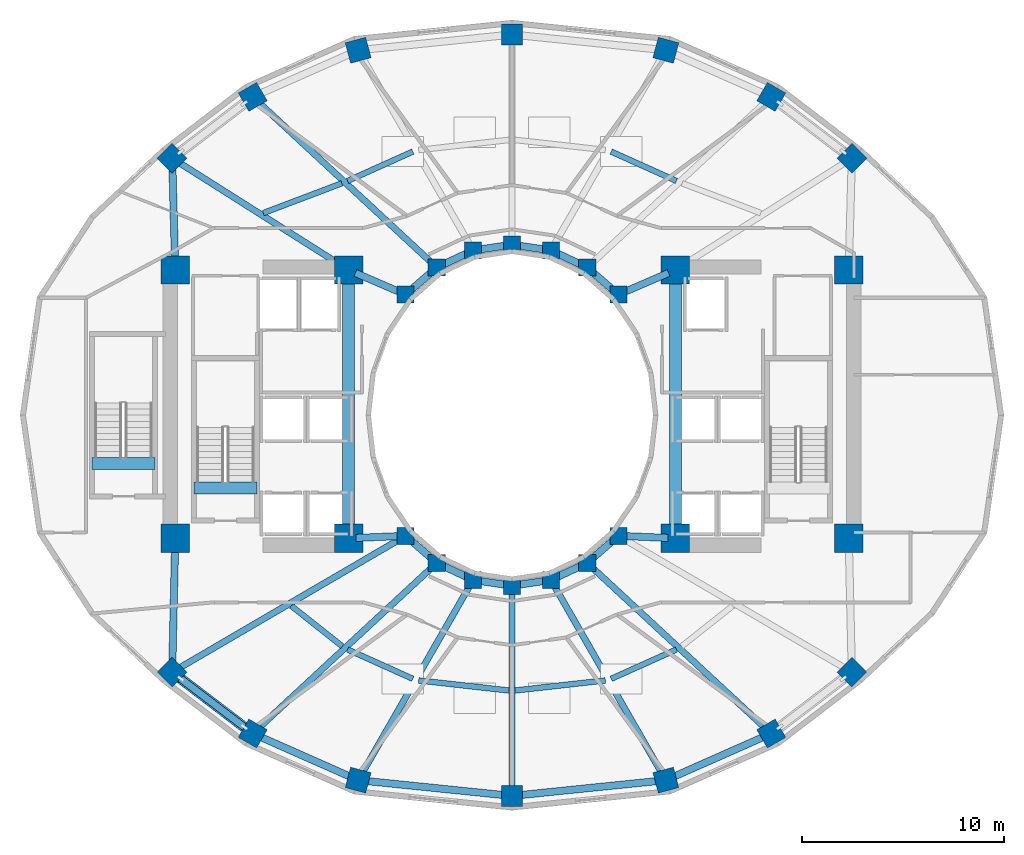
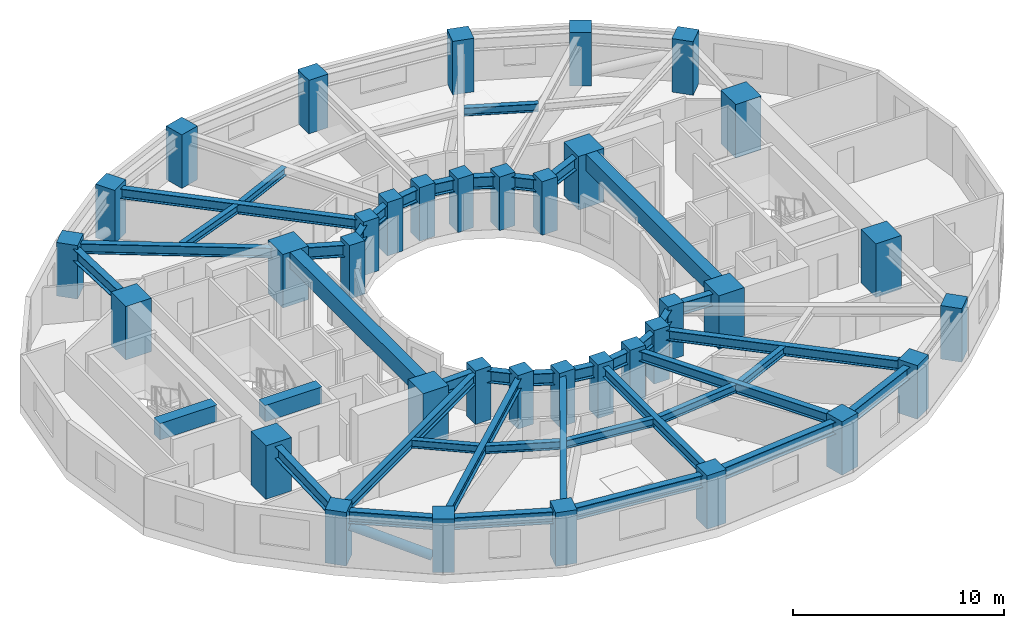
# One storey, part 1 of 9: 43 beams, 36 columns, 1 member.
"""IFC4 building model written with IfcOpenShell, lengths in metres."""

from ifc_helpers import new_model, si_unit, direction, frame, origin, origin_2d, place, context, subcontext, project, spatial, rectangle, hollow_circle, i_section, extrude, material, material_profile, profile_set, type_object, element, save


model = new_model("IFC4")

# Units and contexts
model_context = context("Model", 3, precision=1e-05, world=origin(), true_north=direction((0.0, 1.0)))
body_context = subcontext(model_context, "Body", "Model", "MODEL_VIEW")
ifc_project = project(units=[si_unit("LENGTHUNIT", "METRE"), si_unit("AREAUNIT", "SQUARE_METRE"), si_unit("VOLUMEUNIT", "CUBIC_METRE"), si_unit("PLANEANGLEUNIT", "RADIAN"), si_unit("MASSUNIT", "GRAM", prefix="KILO")], contexts=[model_context])

# Site, building, storey
site_placement = place(None, origin())
site = spatial("IfcSite", under=ifc_project, at=site_placement, CompositionType="ELEMENT")
building_placement = place(site_placement, origin())
building = spatial("IfcBuilding", under=site, at=building_placement, Name="Solvane Sanctuary Tower", CompositionType="ELEMENT")
storey_placement = place(building_placement, frame((0.0, 0.0, 104.199951171875)))
storey = spatial("IfcBuildingStorey", under=building, at=storey_placement, Name="L31", CompositionType="ELEMENT", Elevation=104.199951171875)

# Columns
ifc_material_1 = material(Name="Concrete C70/85", Category="concrete")
ifc_material_profile_1 = material_profile(ifc_material_1, rectangle(XDim=1.39990234375, YDim=1.39990234375, at=origin_2d()), Name="RC1400X1400")
ifc_profile_set_1 = profile_set([ifc_material_profile_1], Name="Concrete C70/85")
column_type_1 = type_object("IfcColumnType", Name="Column C-POD-INT RC1400X1400", PredefinedType="COLUMN", material=ifc_profile_set_1)
for number, where, z_axis, x_axis, name in (
    (1, (15.300048828125, 16.89990234375, 0.0), (0.0, 0.0, 1.0), (1.0, 0.0, 0.0), "L31 Core Corner Column CW1"),
    (2, (23.89990234375, 16.89990234375, 0.0), (0.0, 0.0, 1.0), (1.0, 0.0, 0.0), "L31 Core Corner Column CW2"),
    (3, (23.89990234375, 30.199951171875, 0.0), (0.0, 0.0, 1.0), (1.0, 0.0, 0.0), "L31 Core Corner Column CW3"),
    (4, (15.300048828125, 30.199951171875, 0.0), (0.0, 0.0, 1.0), (1.0, 0.0, 0.0), "L31 Core Corner Column CW4"),
    (5, (40.10009765625, 16.89990234375, 0.0), (0.0, 0.0, 1.0), (1.0, 0.0, 0.0), "L31 Core Corner Column CE1"),
    (6, (48.699951171875, 16.89990234375, 0.0), (0.0, 0.0, 1.0), (1.0, 0.0, 0.0), "L31 Core Corner Column CE2"),
    (7, (48.699951171875, 30.199951171875, 0.0), (0.0, 0.0, 1.0), (1.0, 0.0, 0.0), "L31 Core Corner Column CE3"),
    (8, (40.10009765625, 30.199951171875, 0.0), (0.0, 0.0, 1.0), (1.0, 0.0, 0.0), "L31 Core Corner Column CE4"),
):
    element("IfcColumn", number, at=place(storey_placement, frame(where, z_axis=z_axis, x_axis=x_axis)), inside=storey, type_object=column_type_1, Name=name, PredefinedType="COLUMN", context=body_context, shape_type="SweptSolid", body=[
        extrude(rectangle(XDim=1.39990234375, YDim=1.39990234375, at=origin_2d()), origin(), (0.0, 0.0, 1.0), 3.10009765625),
    ])
ifc_material_2 = material(Name="Concrete C60/75", Category="concrete")
ifc_material_profile_2 = material_profile(ifc_material_2, rectangle(XDim=0.85009765625, YDim=0.85009765625, at=origin_2d()), Name="RC850X850")
ifc_profile_set_2 = profile_set([ifc_material_profile_2], Name="Concrete C60/75")
column_type_2 = type_object("IfcColumnType", Name="Column C-RING-Z2 RC850X850", PredefinedType="COLUMN", material=ifc_profile_set_2)
for number, where, z_axis, x_axis, name in (
    (9, (37.27490234375, 28.982177734375, 0.0), (0.0, 0.0, 1.0), (1.0, 0.0, 0.0), "L31 Inner Light-Well Ring Column IC01"),
    (10, (35.72998046875, 30.32666015625, 0.0), (0.0, 0.0, 1.0), (1.0, 0.0, 0.0), "L31 Inner Light-Well Ring Column IC02"),
    (11, (33.930908203125, 31.171630859375, 0.0), (0.0, 0.0, 1.0), (1.0, 0.0, 0.0), "L31 Inner Light-Well Ring Column IC03"),
    (12, (32.0, 31.4599609375, 0.0), (0.0, 0.0, 1.0), (1.0, 0.0, 0.0), "L31 Inner Light-Well Ring Column IC04"),
    (13, (30.069091796875, 31.171630859375, 0.0), (0.0, 0.0, 1.0), (1.0, 0.0, 0.0), "L31 Inner Light-Well Ring Column IC05"),
    (14, (28.27001953125, 30.32666015625, 0.0), (0.0, 0.0, 1.0), (1.0, 0.0, 0.0), "L31 Inner Light-Well Ring Column IC06"),
    (15, (26.72509765625, 28.982177734375, 0.0), (0.0, 0.0, 1.0), (1.0, 0.0, 0.0), "L31 Inner Light-Well Ring Column IC07"),
    (16, (26.72509765625, 17.017822265625, 0.0), (0.0, 0.0, 1.0), (1.0, 0.0, 0.0), "L31 Inner Light-Well Ring Column IC08"),
    (17, (28.27001953125, 15.67333984375, 0.0), (0.0, 0.0, 1.0), (1.0, 0.0, 0.0), "L31 Inner Light-Well Ring Column IC09"),
    (18, (30.069091796875, 14.828369140625, 0.0), (0.0, 0.0, 1.0), (1.0, 0.0, 0.0), "L31 Inner Light-Well Ring Column IC10"),
    (19, (32.0, 14.5400390625, 0.0), (0.0, 0.0, 1.0), (1.0, 0.0, 0.0), "L31 Inner Light-Well Ring Column IC11"),
    (20, (33.930908203125, 14.828369140625, 0.0), (0.0, 0.0, 1.0), (1.0, 0.0, 0.0), "L31 Inner Light-Well Ring Column IC12"),
    (21, (35.72998046875, 15.67333984375, 0.0), (0.0, 0.0, 1.0), (1.0, 0.0, 0.0), "L31 Inner Light-Well Ring Column IC13"),
    (22, (37.27490234375, 17.017822265625, 0.0), (0.0, 0.0, 1.0), (1.0, 0.0, 0.0), "L31 Inner Light-Well Ring Column IC14"),
):
    element("IfcColumn", number, at=place(storey_placement, frame(where, z_axis=z_axis, x_axis=x_axis)), inside=storey, type_object=column_type_2, Name=name, PredefinedType="COLUMN", context=body_context, shape_type="SweptSolid", body=[
        extrude(rectangle(XDim=0.85009765625, YDim=0.85009765625, at=origin_2d()), origin(), (0.0, 0.0, 1.0), 3.10009765625),
    ])
ifc_material_profile_3 = material_profile(ifc_material_2, rectangle(XDim=1.050048828125, YDim=1.050048828125, at=origin_2d()), Name="RC1050X1050")
ifc_profile_set_3 = profile_set([ifc_material_profile_3], Name="Concrete C60/75")
column_type_3 = type_object("IfcColumnType", Name="Column C-TUBE-Z2 RC1050X1050", PredefinedType="COLUMN", material=ifc_profile_set_3)
for number, where, z_axis, x_axis, name in (
    (23, (48.85302734375, 35.742919921875, 0.0), (0.0, 0.0, 1.0), (0.707106781187, 0.707106781187, 0.0), "L31 Perimeter Tube Column TC01"),
    (24, (44.8583984375, 38.7861328125, 0.0), (0.0, 0.0, 1.0), (0.5, 0.866025403784, 0.0), "L31 Perimeter Tube Column TC02"),
    (25, (39.62939453125, 41.10009765625, 0.0), (0.0, 0.0, 1.0), (0.258819045103, 0.965925826289, 0.0), "L31 Perimeter Tube Column TC03"),
    (26, (32.0, 41.8798828125, 0.0), (0.0, 0.0, 1.0), (0.0, 1.0, 0.0), "L31 Perimeter Tube Column TC04"),
    (27, (24.37060546875, 41.10009765625, 0.0), (0.0, 0.0, 1.0), (-0.258819045103, 0.965925826289, 0.0), "L31 Perimeter Tube Column TC05"),
    (28, (19.1416015625, 38.7861328125, 0.0), (0.0, 0.0, 1.0), (-0.5, 0.866025403784, 0.0), "L31 Perimeter Tube Column TC06"),
    (29, (15.14697265625, 35.742919921875, 0.0), (0.0, 0.0, 1.0), (-0.707106781187, 0.707106781187, 0.0), "L31 Perimeter Tube Column TC07"),
    (30, (15.14697265625, 10.257080078125, 0.0), (0.0, 0.0, 1.0), (-0.707106781187, -0.707106781187, 0.0), "L31 Perimeter Tube Column TC08"),
    (31, (19.1416015625, 7.2138671875, 0.0), (0.0, 0.0, 1.0), (-0.5, -0.866025403784, 0.0), "L31 Perimeter Tube Column TC09"),
    (32, (24.37060546875, 4.89990234375, 0.0), (0.0, 0.0, 1.0), (-0.258819045103, -0.965925826289, 0.0), "L31 Perimeter Tube Column TC10"),
    (33, (32.0, 4.1201171875, 0.0), (0.0, 0.0, 1.0), (0.0, -1.0, 0.0), "L31 Perimeter Tube Column TC11"),
    (34, (39.62939453125, 4.89990234375, 0.0), (0.0, 0.0, 1.0), (0.258819045103, -0.965925826289, 0.0), "L31 Perimeter Tube Column TC12"),
    (35, (44.8583984375, 7.2138671875, 0.0), (0.0, 0.0, 1.0), (0.5, -0.866025403784, 0.0), "L31 Perimeter Tube Column TC13"),
    (36, (48.85302734375, 10.257080078125, 0.0), (0.0, 0.0, 1.0), (0.707106781187, -0.707106781187, 0.0), "L31 Perimeter Tube Column TC14"),
):
    element("IfcColumn", number, at=place(storey_placement, frame(where, z_axis=z_axis, x_axis=x_axis)), inside=storey, type_object=column_type_3, Name=name, PredefinedType="COLUMN", context=body_context, shape_type="SweptSolid", body=[
        extrude(rectangle(XDim=1.050048828125, YDim=1.050048828125, at=origin_2d()), origin(), (0.0, 0.0, 1.0), 3.10009765625),
    ])

# Beams
ifc_material_profile_4 = material_profile(ifc_material_1, rectangle(XDim=0.60009765625, YDim=0.949951171875, at=origin_2d()), Name="RC600X950")
ifc_profile_set_4 = profile_set([ifc_material_profile_4], Name="Concrete C70/85")
beam_type_1 = type_object("IfcBeamType", Name="Beam B-COUPLE RC600X950", PredefinedType="LINTEL", material=ifc_profile_set_4)
for number, where, z_axis, x_axis, name in (
    (37, (23.89990234375, 17.35009765625, 2.625), (0.0, 1.0, 0.0), (-1.0, 0.0, 0.0), "L31 West Core Coupling Lintel"),
    (38, (40.10009765625, 17.35009765625, 2.625), (0.0, 1.0, 0.0), (-1.0, 0.0, 0.0), "L31 East Core Coupling Lintel"),
):
    element("IfcBeam", number, at=place(storey_placement, frame(where, z_axis=z_axis, x_axis=x_axis)), inside=storey, type_object=beam_type_1, Name=name, PredefinedType="LINTEL", context=body_context, shape_type="SweptSolid", body=[
        extrude(rectangle(XDim=0.60009765625, YDim=0.949951171875, at=origin_2d()), origin(), (0.0, 0.0, 1.0), 12.39990234375),
    ])
for number, where, z_axis, x_axis, name in (
    (39, (16.22998046875, 19.399169921875, 2.625), (1.0, 0.0, 0.0), (0.0, 1.0, 0.0), "L31 ST-1 Stair Floor Landing Trimmer"),
    (40, (11.169921875, 20.59912109375, 2.625), (1.0, 0.0, 0.0), (0.0, 1.0, 0.0), "L31 ST-3 Stair Floor Landing Trimmer"),
):
    element("IfcBeam", number, at=place(storey_placement, frame(where, z_axis=z_axis, x_axis=x_axis)), inside=storey, type_object=beam_type_1, Name=name, PredefinedType="LINTEL", context=body_context, shape_type="SweptSolid", body=[
        extrude(rectangle(XDim=0.60009765625, YDim=0.949951171875, at=origin_2d()), origin(), (0.0, 0.0, 1.0), 3.1201171875),
    ])
ifc_material_3 = material(Name="Steel ASTM A992 Grade 50", Category="steel")
ifc_material_profile_5 = material_profile(ifc_material_3, i_section(OverallWidth=0.31494140625, OverallDepth=0.575927734375, WebThickness=0.01513671875, FlangeThickness=0.0244140625, FilletRadius=0.014892578125, at=origin_2d()), Name="W21X122")
ifc_profile_set_5 = profile_set([ifc_material_profile_5], Name="Steel ASTM A992 Grade 50")
beam_type_2 = type_object("IfcBeamType", Name="Beam B-RAD-Z2 W21X122", PredefinedType="BEAM", material=ifc_profile_set_5)
beam_1_placement = place(storey_placement, frame((28.064697265625, 30.516845703125, 2.590087890625), z_axis=(-0.733453775248, 0.679739332078, 0.0), x_axis=(-0.679739332078, -0.733453775248, 0.0)))
element("IfcBeam", 41, at=beam_1_placement, inside=storey, type_object=beam_type_2, Name="L31 Radial Composite Floor Beam 06", PredefinedType="BEAM", context=body_context, shape_type="SweptSolid", body=[
    extrude(i_section(OverallWidth=0.31494140625, OverallDepth=0.575927734375, WebThickness=0.01513671875, FlangeThickness=0.0244140625, FilletRadius=0.014892578125, at=origin_2d()), origin(), (0.0, 0.0, 1.0), 11.885498046875),
])
beam_2_placement = place(storey_placement, frame((23.595947265625, 30.392578125, 2.590087890625), z_axis=(-0.844853889678, 0.534997107558, 0.0), x_axis=(-0.534997107558, -0.844853889678, 0.0)))
element("IfcBeam", 42, at=beam_2_placement, inside=storey, type_object=beam_type_2, Name="L31 Radial Composite Floor Beam 07", PredefinedType="BEAM", context=body_context, shape_type="SweptSolid", body=[
    extrude(i_section(OverallWidth=0.31494140625, OverallDepth=0.575927734375, WebThickness=0.01513671875, FlangeThickness=0.0244140625, FilletRadius=0.014892578125, at=origin_2d()), origin(), (0.0, 0.0, 1.0), 9.720458984375),
])
beam_3_placement = place(storey_placement, frame((26.483154296875, 16.876708984375, 2.590087890625), z_axis=(-0.863554121542, -0.504256164234, 0.0), x_axis=(0.504256164234, -0.863554121542, 0.0)))
element("IfcBeam", 43, at=beam_3_placement, inside=storey, type_object=beam_type_2, Name="L31 Radial Composite Floor Beam 08", PredefinedType="BEAM", context=body_context, shape_type="SweptSolid", body=[
    extrude(i_section(OverallWidth=0.31494140625, OverallDepth=0.575927734375, WebThickness=0.01513671875, FlangeThickness=0.0244140625, FilletRadius=0.014892578125, at=origin_2d()), origin(), (0.0, 0.0, 1.0), 12.84716796875),
])
beam_4_placement = place(storey_placement, frame((28.064697265625, 15.483154296875, 2.590087890625), z_axis=(-0.733453775248, -0.679739332078, 0.0), x_axis=(0.679739332078, -0.733453775248, 0.0)))
element("IfcBeam", 44, at=beam_4_placement, inside=storey, type_object=beam_type_2, Name="L31 Radial Composite Floor Beam 09", PredefinedType="BEAM", context=body_context, shape_type="SweptSolid", body=[
    extrude(i_section(OverallWidth=0.31494140625, OverallDepth=0.575927734375, WebThickness=0.01513671875, FlangeThickness=0.0244140625, FilletRadius=0.014892578125, at=origin_2d()), origin(), (0.0, 0.0, 1.0), 11.885498046875),
])
beam_5_placement = place(storey_placement, frame((29.9296875, 14.58544921875, 2.590087890625), z_axis=(-0.497792245326, -0.8672963049, 0.0), x_axis=(0.8672963049, -0.497792245326, 0.0)))
element("IfcBeam", 45, at=beam_5_placement, inside=storey, type_object=beam_type_2, Name="L31 Radial Composite Floor Beam 10", PredefinedType="BEAM", context=body_context, shape_type="SweptSolid", body=[
    extrude(i_section(OverallWidth=0.31494140625, OverallDepth=0.575927734375, WebThickness=0.01513671875, FlangeThickness=0.0244140625, FilletRadius=0.014892578125, at=origin_2d()), origin(), (0.0, 0.0, 1.0), 10.887451171875),
])
beam_6_placement = place(storey_placement, frame((32.0, 14.260009765625, 2.590087890625), z_axis=(0.0, -1.0, 0.0), x_axis=(1.0, 0.0, 0.0)))
element("IfcBeam", 46, at=beam_6_placement, inside=storey, type_object=beam_type_2, Name="L31 Radial Composite Floor Beam 11", PredefinedType="BEAM", context=body_context, shape_type="SweptSolid", body=[
    extrude(i_section(OverallWidth=0.31494140625, OverallDepth=0.575927734375, WebThickness=0.01513671875, FlangeThickness=0.0244140625, FilletRadius=0.014892578125, at=origin_2d()), origin(), (0.0, 0.0, 1.0), 9.860107421875),
])
beam_7_placement = place(storey_placement, frame((34.0703125, 14.58544921875, 2.590087890625), z_axis=(0.497792245326, -0.8672963049, 0.0), x_axis=(0.8672963049, 0.497792245326, 0.0)))
element("IfcBeam", 47, at=beam_7_placement, inside=storey, type_object=beam_type_2, Name="L31 Radial Composite Floor Beam 12", PredefinedType="BEAM", context=body_context, shape_type="SweptSolid", body=[
    extrude(i_section(OverallWidth=0.31494140625, OverallDepth=0.575927734375, WebThickness=0.01513671875, FlangeThickness=0.0244140625, FilletRadius=0.014892578125, at=origin_2d()), origin(), (0.0, 0.0, 1.0), 10.887451171875),
])
beam_8_placement = place(storey_placement, frame((35.935302734375, 15.483154296875, 2.590087890625), z_axis=(0.733453775248, -0.679739332078, 0.0), x_axis=(0.679739332078, 0.733453775248, 0.0)))
element("IfcBeam", 48, at=beam_8_placement, inside=storey, type_object=beam_type_2, Name="L31 Radial Composite Floor Beam 13", PredefinedType="BEAM", context=body_context, shape_type="SweptSolid", body=[
    extrude(i_section(OverallWidth=0.31494140625, OverallDepth=0.575927734375, WebThickness=0.01513671875, FlangeThickness=0.0244140625, FilletRadius=0.014892578125, at=origin_2d()), origin(), (0.0, 0.0, 1.0), 11.885498046875),
])
ifc_material_profile_6 = material_profile(ifc_material_3, i_section(OverallWidth=0.35498046875, OverallDepth=0.695068359375, WebThickness=0.015380859375, FlangeThickness=0.02490234375, FilletRadius=0.01806640625, at=origin_2d()), Name="W27X146")
ifc_profile_set_6 = profile_set([ifc_material_profile_6], Name="Steel ASTM A992 Grade 50")
beam_type_3 = type_object("IfcBeamType", Name="Beam B-RING-IN1 W27X146", PredefinedType="BEAM", material=ifc_profile_set_6)
beam_9_placement = place(storey_placement, frame((24.230712890625, 30.0576171875, 2.530517578125), z_axis=(0.918261456479, -0.3959746173, 0.0), x_axis=(0.3959746173, 0.918261456479, 0.0)))
element("IfcBeam", 49, at=beam_9_placement, inside=storey, type_object=beam_type_3, Name="L31 Inner Light-Well Ring Beam CW3-IC07", PredefinedType="BEAM", context=body_context, shape_type="SweptSolid", body=[
    extrude(i_section(OverallWidth=0.35498046875, OverallDepth=0.695068359375, WebThickness=0.015380859375, FlangeThickness=0.02490234375, FilletRadius=0.01806640625, at=origin_2d()), origin(), (0.0, 0.0, 1.0), 2.3212890625),
])
beam_10_placement = place(storey_placement, frame((27.02294921875, 29.241455078125, 2.530517578125), z_axis=(0.754317177099, 0.656510164684, 0.0), x_axis=(-0.656510164684, 0.754317177099, 0.0)))
element("IfcBeam", 50, at=beam_10_placement, inside=storey, type_object=beam_type_3, Name="L31 Inner Light-Well Ring Beam IC07-IC06", PredefinedType="BEAM", context=body_context, shape_type="SweptSolid", body=[
    extrude(i_section(OverallWidth=0.35498046875, OverallDepth=0.695068359375, WebThickness=0.015380859375, FlangeThickness=0.02490234375, FilletRadius=0.01806640625, at=origin_2d()), origin(), (0.0, 0.0, 1.0), 1.258056640625),
])
beam_11_placement = place(storey_placement, frame((28.62744140625, 30.494384765625, 2.530517578125), z_axis=(0.905044882818, 0.425316070804, 0.0), x_axis=(-0.425316070804, 0.905044882818, 0.0)))
element("IfcBeam", 51, at=beam_11_placement, inside=storey, type_object=beam_type_3, Name="L31 Inner Light-Well Ring Beam IC06-IC05", PredefinedType="BEAM", context=body_context, shape_type="SweptSolid", body=[
    extrude(i_section(OverallWidth=0.35498046875, OverallDepth=0.695068359375, WebThickness=0.015380859375, FlangeThickness=0.02490234375, FilletRadius=0.01806640625, at=origin_2d()), origin(), (0.0, 0.0, 1.0), 1.197998046875),
])
for number, where, z_axis, x_axis, name in (
    (52, (30.4599609375, 31.22998046875, 2.530517578125), (0.989034751611, 0.147682971619, 0.0), (-0.147682971619, 0.989034751611, 0.0), "L31 Inner Light-Well Ring Beam IC05-IC04"),
    (53, (32.390625, 31.401611328125, 2.530517578125), (0.989034751611, -0.147682971619, 0.0), (0.147682971619, 0.989034751611, 0.0), "L31 Inner Light-Well Ring Beam IC04-IC03"),
):
    element("IfcBeam", number, at=place(storey_placement, frame(where, z_axis=z_axis, x_axis=x_axis)), inside=storey, type_object=beam_type_3, Name=name, PredefinedType="BEAM", context=body_context, shape_type="SweptSolid", body=[
        extrude(i_section(OverallWidth=0.35498046875, OverallDepth=0.695068359375, WebThickness=0.015380859375, FlangeThickness=0.02490234375, FilletRadius=0.01806640625, at=origin_2d()), origin(), (0.0, 0.0, 1.0), 1.162109375),
    ])
beam_12_placement = place(storey_placement, frame((34.288330078125, 31.00390625, 2.530517578125), z_axis=(0.905044882818, -0.425316070804, 0.0), x_axis=(0.425316070804, 0.905044882818, 0.0)))
element("IfcBeam", 54, at=beam_12_placement, inside=storey, type_object=beam_type_3, Name="L31 Inner Light-Well Ring Beam IC03-IC02", PredefinedType="BEAM", context=body_context, shape_type="SweptSolid", body=[
    extrude(i_section(OverallWidth=0.35498046875, OverallDepth=0.695068359375, WebThickness=0.015380859375, FlangeThickness=0.02490234375, FilletRadius=0.01806640625, at=origin_2d()), origin(), (0.0, 0.0, 1.0), 1.197998046875),
])
beam_13_placement = place(storey_placement, frame((36.028076171875, 30.0673828125, 2.530517578125), z_axis=(0.754317177099, -0.656510164684, 0.0), x_axis=(0.656510164684, 0.754317177099, 0.0)))
element("IfcBeam", 55, at=beam_13_placement, inside=storey, type_object=beam_type_3, Name="L31 Inner Light-Well Ring Beam IC02-IC01", PredefinedType="BEAM", context=body_context, shape_type="SweptSolid", body=[
    extrude(i_section(OverallWidth=0.35498046875, OverallDepth=0.695068359375, WebThickness=0.015380859375, FlangeThickness=0.02490234375, FilletRadius=0.01806640625, at=origin_2d()), origin(), (0.0, 0.0, 1.0), 1.258056640625),
])
beam_14_placement = place(storey_placement, frame((37.6376953125, 29.138427734375, 2.530517578125), z_axis=(0.918261456479, 0.3959746173, 0.0), x_axis=(-0.3959746173, 0.918261456479, 0.0)))
element("IfcBeam", 56, at=beam_14_placement, inside=storey, type_object=beam_type_3, Name="L31 Inner Light-Well Ring Beam IC01-CE4", PredefinedType="BEAM", context=body_context, shape_type="SweptSolid", body=[
    extrude(i_section(OverallWidth=0.35498046875, OverallDepth=0.695068359375, WebThickness=0.015380859375, FlangeThickness=0.02490234375, FilletRadius=0.01806640625, at=origin_2d()), origin(), (0.0, 0.0, 1.0), 2.3212890625),
])
beam_15_placement = place(storey_placement, frame((24.259765625, 16.9150390625, 2.530517578125), z_axis=(0.999130007788, 0.041704047018, 0.0), x_axis=(-0.041704047018, 0.999130007788, 0.0)))
element("IfcBeam", 57, at=beam_15_placement, inside=storey, type_object=beam_type_3, Name="L31 Inner Light-Well Ring Beam CW2-IC08", PredefinedType="BEAM", context=body_context, shape_type="SweptSolid", body=[
    extrude(i_section(OverallWidth=0.35498046875, OverallDepth=0.695068359375, WebThickness=0.015380859375, FlangeThickness=0.02490234375, FilletRadius=0.01806640625, at=origin_2d()), origin(), (0.0, 0.0, 1.0), 2.072265625),
])
beam_16_placement = place(storey_placement, frame((27.02294921875, 16.758544921875, 2.530517578125), z_axis=(0.754317177099, -0.656510164684, 0.0), x_axis=(0.656510164684, 0.754317177099, 0.0)))
element("IfcBeam", 58, at=beam_16_placement, inside=storey, type_object=beam_type_3, Name="L31 Inner Light-Well Ring Beam IC08-IC09", PredefinedType="BEAM", context=body_context, shape_type="SweptSolid", body=[
    extrude(i_section(OverallWidth=0.35498046875, OverallDepth=0.695068359375, WebThickness=0.015380859375, FlangeThickness=0.02490234375, FilletRadius=0.01806640625, at=origin_2d()), origin(), (0.0, 0.0, 1.0), 1.258056640625),
])
beam_17_placement = place(storey_placement, frame((28.62744140625, 15.505615234375, 2.530517578125), z_axis=(0.905044882818, -0.425316070804, 0.0), x_axis=(0.425316070804, 0.905044882818, 0.0)))
element("IfcBeam", 59, at=beam_17_placement, inside=storey, type_object=beam_type_3, Name="L31 Inner Light-Well Ring Beam IC09-IC10", PredefinedType="BEAM", context=body_context, shape_type="SweptSolid", body=[
    extrude(i_section(OverallWidth=0.35498046875, OverallDepth=0.695068359375, WebThickness=0.015380859375, FlangeThickness=0.02490234375, FilletRadius=0.01806640625, at=origin_2d()), origin(), (0.0, 0.0, 1.0), 1.197998046875),
])
for number, where, z_axis, x_axis, name in (
    (60, (30.4599609375, 14.77001953125, 2.530517578125), (0.989034751611, -0.147682971619, 0.0), (0.147682971619, 0.989034751611, 0.0), "L31 Inner Light-Well Ring Beam IC10-IC11"),
    (61, (32.390625, 14.598388671875, 2.530517578125), (0.989034751611, 0.147682971619, 0.0), (-0.147682971619, 0.989034751611, 0.0), "L31 Inner Light-Well Ring Beam IC11-IC12"),
):
    element("IfcBeam", number, at=place(storey_placement, frame(where, z_axis=z_axis, x_axis=x_axis)), inside=storey, type_object=beam_type_3, Name=name, PredefinedType="BEAM", context=body_context, shape_type="SweptSolid", body=[
        extrude(i_section(OverallWidth=0.35498046875, OverallDepth=0.695068359375, WebThickness=0.015380859375, FlangeThickness=0.02490234375, FilletRadius=0.01806640625, at=origin_2d()), origin(), (0.0, 0.0, 1.0), 1.162109375),
    ])
beam_18_placement = place(storey_placement, frame((34.288330078125, 14.99609375, 2.530517578125), z_axis=(0.905044882818, 0.425316070804, 0.0), x_axis=(-0.425316070804, 0.905044882818, 0.0)))
element("IfcBeam", 62, at=beam_18_placement, inside=storey, type_object=beam_type_3, Name="L31 Inner Light-Well Ring Beam IC12-IC13", PredefinedType="BEAM", context=body_context, shape_type="SweptSolid", body=[
    extrude(i_section(OverallWidth=0.35498046875, OverallDepth=0.695068359375, WebThickness=0.015380859375, FlangeThickness=0.02490234375, FilletRadius=0.01806640625, at=origin_2d()), origin(), (0.0, 0.0, 1.0), 1.197998046875),
])
beam_19_placement = place(storey_placement, frame((36.028076171875, 15.9326171875, 2.530517578125), z_axis=(0.754317177099, 0.656510164684, 0.0), x_axis=(-0.656510164684, 0.754317177099, 0.0)))
element("IfcBeam", 63, at=beam_19_placement, inside=storey, type_object=beam_type_3, Name="L31 Inner Light-Well Ring Beam IC13-IC14", PredefinedType="BEAM", context=body_context, shape_type="SweptSolid", body=[
    extrude(i_section(OverallWidth=0.35498046875, OverallDepth=0.695068359375, WebThickness=0.015380859375, FlangeThickness=0.02490234375, FilletRadius=0.01806640625, at=origin_2d()), origin(), (0.0, 0.0, 1.0), 1.258056640625),
])
beam_20_placement = place(storey_placement, frame((37.669677734375, 17.00146484375, 2.530517578125), z_axis=(0.999130007788, -0.041704047018, 0.0), x_axis=(0.041704047018, 0.999130007788, 0.0)))
element("IfcBeam", 64, at=beam_20_placement, inside=storey, type_object=beam_type_3, Name="L31 Inner Light-Well Ring Beam IC14-CE1", PredefinedType="BEAM", context=body_context, shape_type="SweptSolid", body=[
    extrude(i_section(OverallWidth=0.35498046875, OverallDepth=0.695068359375, WebThickness=0.015380859375, FlangeThickness=0.02490234375, FilletRadius=0.01806640625, at=origin_2d()), origin(), (0.0, 0.0, 1.0), 2.072265625),
])
ifc_material_profile_7 = material_profile(ifc_material_3, i_section(OverallWidth=0.280029296875, OverallDepth=0.462890625, WebThickness=0.0107421875, FlangeThickness=0.017333984375, FilletRadius=0.013916015625, at=origin_2d()), Name="W18X76")
ifc_profile_set_7 = profile_set([ifc_material_profile_7], Name="Steel ASTM A992 Grade 50")
beam_type_4 = type_object("IfcBeamType", Name="Beam B-SEC-JOIST W18X76", PredefinedType="JOIST", material=ifc_profile_set_7)
beam_21_placement = place(storey_placement, frame((19.666015625, 33.025390625, 2.646484375), z_axis=(0.93509327646, 0.354401699091, 0.0), x_axis=(-0.354401699091, 0.93509327646, 0.0)))
element("IfcBeam", 65, at=beam_21_placement, inside=storey, type_object=beam_type_4, Name="L31 Secondary Circumferential Joist 07-06", PredefinedType="JOIST", context=body_context, shape_type="SweptSolid", body=[
    extrude(i_section(OverallWidth=0.280029296875, OverallDepth=0.462890625, WebThickness=0.0107421875, FlangeThickness=0.017333984375, FilletRadius=0.013916015625, at=origin_2d()), origin(), (0.0, 0.0, 1.0), 4.167724609375),
])
for number, where, z_axis, x_axis, name in (
    (66, (23.844970703125, 34.618896484375, 2.646484375), (0.912083673068, 0.410004113787, 0.0), (-0.410004113787, 0.912083673068, 0.0), "L31 Secondary Circumferential Joist 06-05"),
    (67, (36.919189453125, 36.073486328125, 2.646484375), (0.912083673068, -0.410004113787, 0.0), (0.410004113787, 0.912083673068, 0.0), "L31 Secondary Circumferential Joist 03-02"),
):
    element("IfcBeam", number, at=place(storey_placement, frame(where, z_axis=z_axis, x_axis=x_axis)), inside=storey, type_object=beam_type_4, Name=name, PredefinedType="JOIST", context=body_context, shape_type="SweptSolid", body=[
        extrude(i_section(OverallWidth=0.280029296875, OverallDepth=0.462890625, WebThickness=0.0107421875, FlangeThickness=0.017333984375, FilletRadius=0.013916015625, at=origin_2d()), origin(), (0.0, 0.0, 1.0), 3.5478515625),
    ])
beam_22_placement = place(storey_placement, frame((21.055419921875, 13.54296875, 2.646484375), z_axis=(0.783877123324, -0.620915981055, 0.0), x_axis=(0.620915981055, 0.783877123324, 0.0)))
element("IfcBeam", 68, at=beam_22_placement, inside=storey, type_object=beam_type_4, Name="L31 Secondary Circumferential Joist 08-09", PredefinedType="JOIST", context=body_context, shape_type="SweptSolid", body=[
    extrude(i_section(OverallWidth=0.280029296875, OverallDepth=0.462890625, WebThickness=0.0107421875, FlangeThickness=0.017333984375, FilletRadius=0.013916015625, at=origin_2d()), origin(), (0.0, 0.0, 1.0), 3.228515625),
])
beam_23_placement = place(storey_placement, frame((23.844970703125, 11.381103515625, 2.646484375), z_axis=(0.912109406194, -0.409946863792, 0.0), x_axis=(0.409946863792, 0.912109406194, 0.0)))
element("IfcBeam", 69, at=beam_23_placement, inside=storey, type_object=beam_type_4, Name="L31 Secondary Circumferential Joist 09-10", PredefinedType="JOIST", context=body_context, shape_type="SweptSolid", body=[
    extrude(i_section(OverallWidth=0.280029296875, OverallDepth=0.462890625, WebThickness=0.0107421875, FlangeThickness=0.017333984375, FilletRadius=0.013916015625, at=origin_2d()), origin(), (0.0, 0.0, 1.0), 3.547607421875),
])
for number, where, z_axis, x_axis, name in (
    (70, (27.37158203125, 9.847412109375, 2.646484375), (0.993808821383, -0.111103674747, 0.0), (0.111103674747, 0.993808821383, 0.0), "L31 Secondary Circumferential Joist 10-11"),
    (71, (32.151611328125, 9.346923828125, 2.646484375), (0.993808821383, 0.111103674747, 0.0), (-0.111103674747, 0.993808821383, 0.0), "L31 Secondary Circumferential Joist 11-12"),
):
    element("IfcBeam", number, at=place(storey_placement, frame(where, z_axis=z_axis, x_axis=x_axis)), inside=storey, type_object=beam_type_4, Name=name, PredefinedType="JOIST", context=body_context, shape_type="SweptSolid", body=[
        extrude(i_section(OverallWidth=0.280029296875, OverallDepth=0.462890625, WebThickness=0.0107421875, FlangeThickness=0.017333984375, FilletRadius=0.013916015625, at=origin_2d()), origin(), (0.0, 0.0, 1.0), 4.504638671875),
    ])
beam_24_placement = place(storey_placement, frame((36.919189453125, 9.9267578125, 2.646484375), z_axis=(0.912109406194, 0.409946863792, 0.0), x_axis=(-0.409946863792, 0.912109406194, 0.0)))
element("IfcBeam", 72, at=beam_24_placement, inside=storey, type_object=beam_type_4, Name="L31 Secondary Circumferential Joist 12-13", PredefinedType="JOIST", context=body_context, shape_type="SweptSolid", body=[
    extrude(i_section(OverallWidth=0.280029296875, OverallDepth=0.462890625, WebThickness=0.0107421875, FlangeThickness=0.017333984375, FilletRadius=0.013916015625, at=origin_2d()), origin(), (0.0, 0.0, 1.0), 3.547607421875),
])
ifc_material_profile_8 = material_profile(ifc_material_3, i_section(OverallWidth=0.35791015625, OverallDepth=0.7060546875, WebThickness=0.018310546875, FlangeThickness=0.0302734375, FilletRadius=0.01806640625, at=origin_2d()), Name="W27X178")
ifc_profile_set_8 = profile_set([ifc_material_profile_8], Name="Steel ASTM A992 Grade 50")
beam_type_5 = type_object("IfcBeamType", Name="Beam B-SPAND-Z2 W27X178", PredefinedType="SPANDREL", material=ifc_profile_set_8)
beam_25_placement = place(storey_placement, frame((15.292236328125, 30.47998046875, 2.525146484375), z_axis=(-0.027574028772, 0.999619764179, 0.0), x_axis=(-0.999619764179, -0.027574028772, 0.0)))
element("IfcBeam", 73, at=beam_25_placement, inside=storey, type_object=beam_type_5, Name="L31 Perimeter Spandrel Beam CW4-TC07", PredefinedType="SPANDREL", context=body_context, shape_type="SweptSolid", body=[
    extrude(i_section(OverallWidth=0.35791015625, OverallDepth=0.7060546875, WebThickness=0.018310546875, FlangeThickness=0.0302734375, FilletRadius=0.01806640625, at=origin_2d()), origin(), (0.0, 0.0, 1.0), 4.98486328125),
])
beam_26_placement = place(storey_placement, frame((15.293701171875, 16.6201171875, 2.525146484375), z_axis=(-0.023071397754, -0.999733819877, 0.0), x_axis=(0.999733819877, -0.023071397754, 0.0)))
element("IfcBeam", 74, at=beam_26_placement, inside=storey, type_object=beam_type_5, Name="L31 Perimeter Spandrel Beam CW1-TC08", PredefinedType="SPANDREL", context=body_context, shape_type="SweptSolid", body=[
    extrude(i_section(OverallWidth=0.35791015625, OverallDepth=0.7060546875, WebThickness=0.018310546875, FlangeThickness=0.0302734375, FilletRadius=0.01806640625, at=origin_2d()), origin(), (0.0, 0.0, 1.0), 6.084716796875),
])
beam_27_placement = place(storey_placement, frame((15.36962890625, 10.08740234375, 2.525146484375), z_axis=(0.795473167932, -0.605988811036, 0.0), x_axis=(0.605988811036, 0.795473167932, 0.0)))
element("IfcBeam", 75, at=beam_27_placement, inside=storey, type_object=beam_type_5, Name="L31 Perimeter Spandrel Beam TC08-TC09", PredefinedType="SPANDREL", context=body_context, shape_type="SweptSolid", body=[
    extrude(i_section(OverallWidth=0.35791015625, OverallDepth=0.7060546875, WebThickness=0.018310546875, FlangeThickness=0.0302734375, FilletRadius=0.01806640625, at=origin_2d()), origin(), (0.0, 0.0, 1.0), 4.4619140625),
])
beam_28_placement = place(storey_placement, frame((19.397705078125, 7.1005859375, 2.525146484375), z_axis=(0.914454505181, -0.404688717355, 0.0), x_axis=(0.404688717355, 0.914454505181, 0.0)))
element("IfcBeam", 76, at=beam_28_placement, inside=storey, type_object=beam_type_5, Name="L31 Perimeter Spandrel Beam TC09-TC10", PredefinedType="SPANDREL", context=body_context, shape_type="SweptSolid", body=[
    extrude(i_section(OverallWidth=0.35791015625, OverallDepth=0.7060546875, WebThickness=0.018310546875, FlangeThickness=0.0302734375, FilletRadius=0.01806640625, at=origin_2d()), origin(), (0.0, 0.0, 1.0), 5.157958984375),
])
for number, where, z_axis, x_axis, name in (
    (77, (24.649169921875, 4.87158203125, 2.525146484375), (0.994813029025, -0.101720387737, 0.0), (0.101720387737, 0.994813029025, 0.0), "L31 Perimeter Spandrel Beam TC10-TC11"),
    (78, (32.278564453125, 4.1484375, 2.525146484375), (0.994813029025, 0.101720387737, 0.0), (-0.101720387737, 0.994813029025, 0.0), "L31 Perimeter Spandrel Beam TC11-TC12"),
):
    element("IfcBeam", number, at=place(storey_placement, frame(where, z_axis=z_axis, x_axis=x_axis)), inside=storey, type_object=beam_type_5, Name=name, PredefinedType="SPANDREL", context=body_context, shape_type="SweptSolid", body=[
        extrude(i_section(OverallWidth=0.35791015625, OverallDepth=0.7060546875, WebThickness=0.018310546875, FlangeThickness=0.0302734375, FilletRadius=0.01806640625, at=origin_2d()), origin(), (0.0, 0.0, 1.0), 7.109130859375),
    ])
beam_29_placement = place(storey_placement, frame((39.885498046875, 5.01318359375, 2.525146484375), z_axis=(0.914454505181, 0.404688717355, 0.0), x_axis=(-0.404688717355, 0.914454505181, 0.0)))
element("IfcBeam", 79, at=beam_29_placement, inside=storey, type_object=beam_type_5, Name="L31 Perimeter Spandrel Beam TC12-TC13", PredefinedType="SPANDREL", context=body_context, shape_type="SweptSolid", body=[
    extrude(i_section(OverallWidth=0.35791015625, OverallDepth=0.7060546875, WebThickness=0.018310546875, FlangeThickness=0.0302734375, FilletRadius=0.01806640625, at=origin_2d()), origin(), (0.0, 0.0, 1.0), 5.157958984375),
])

# Member
ifc_material_profile_9 = material_profile(ifc_material_3, hollow_circle(Radius=0.25390625, WallThickness=0.01611328125, at=origin_2d()), Name="CHS508X16")
ifc_profile_set_9 = profile_set([ifc_material_profile_9], Name="Steel ASTM A992 Grade 50")
member_type = type_object("IfcMemberType", Name="Member M-TUBE-Z2 CHS508X16", PredefinedType="BRACE", material=ifc_profile_set_9)
member_placement = place(storey_placement, frame((18.713134765625, 7.540283203125, 0.572265625), z_axis=(-0.749170118041, 0.570768517947, 0.336106282529), x_axis=(-0.606024564443, -0.795445929836, 0.0)))
element("IfcMember", 80, at=member_placement, inside=storey, type_object=member_type, Name="L31 Perimeter Braced-Tube Diagonal SW", PredefinedType="BRACE", context=body_context, shape_type="SweptSolid", body=[
    extrude(hollow_circle(Radius=0.25390625, WallThickness=0.01611328125, at=origin_2d()), origin(), (0.0, 0.0, 1.0), 4.1875),
])

save(model, "model.ifc")
